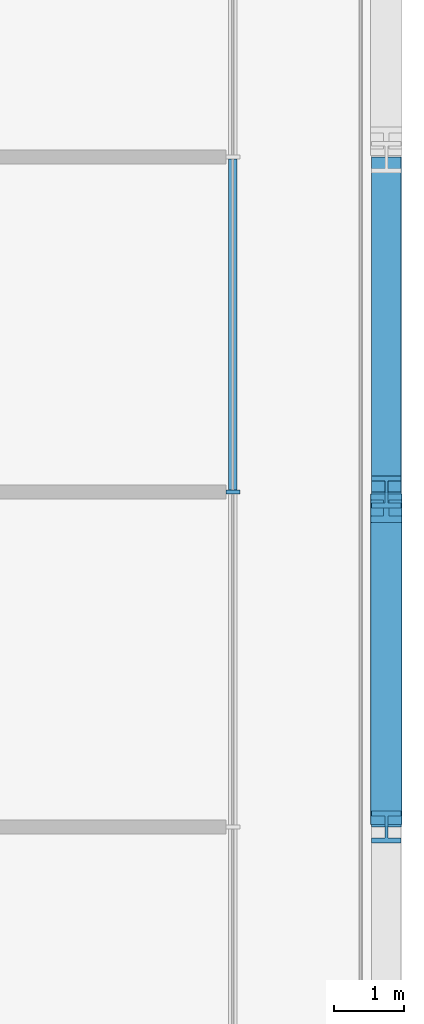
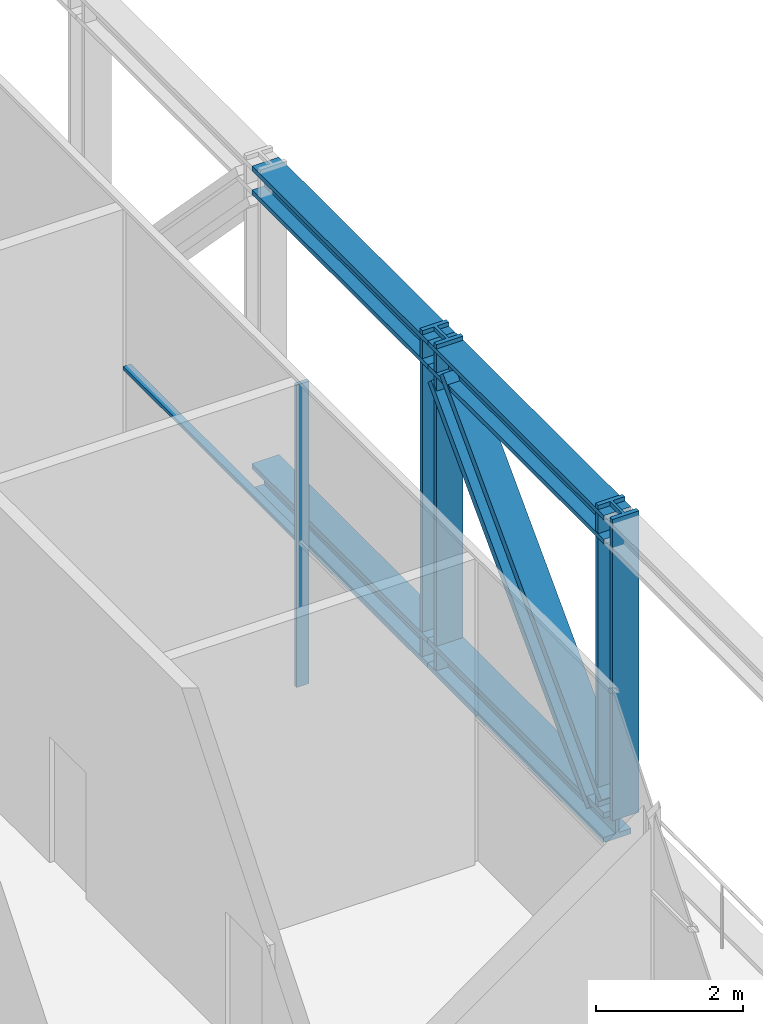
# One storey, part 8 of 27: 9 members, 1 element without a shape of its own.
"""IFC4 building model written with IfcOpenShell, lengths in metres."""

from ifc_helpers import new_model, si_unit, direction, frame, origin, origin_2d, place, context, subcontext, project, spatial, rectangle, i_section, extrude, material, layer, layer_set, material_profile, profile_set, type_object, element, aggregate, save


model = new_model("IFC4")

# Units and contexts
model_context = context("Model", 3, precision=1e-05, world=origin(), true_north=direction((0.0, 1.0)))
body_context = subcontext(model_context, "Body", "Model", "MODEL_VIEW")
ifc_project = project(units=[si_unit("LENGTHUNIT", "METRE"), si_unit("AREAUNIT", "SQUARE_METRE"), si_unit("VOLUMEUNIT", "CUBIC_METRE"), si_unit("PLANEANGLEUNIT", "RADIAN"), si_unit("MASSUNIT", "GRAM", prefix="KILO")], contexts=[model_context])

# Site, building, storey
site_placement = place(None, origin())
site = spatial("IfcSite", under=ifc_project, at=site_placement, CompositionType="ELEMENT")
building_placement = place(site_placement, origin())
building = spatial("IfcBuilding", under=site, at=building_placement, Name="Madar Terraces", CompositionType="ELEMENT")
storey_placement = place(building_placement, frame((0.0, 0.0, 143.60009765625)))
storey = spatial("IfcBuildingStorey", under=building, at=storey_placement, Name="L37", CompositionType="ELEMENT", Elevation=143.60009765625)

# Members
ifc_material_1 = material(Name="Steel ASTM A913 Grade 65", Category="steel")
ifc_material_profile_1 = material_profile(ifc_material_1, i_section(OverallWidth=0.431884765625, OverallDepth=0.497802734375, WebThickness=0.0556640625, FlangeThickness=0.0888671875, at=origin_2d()), Name="W14x500")
ifc_profile_set_1 = profile_set([ifc_material_profile_1], Name="Steel ASTM A913 Grade 65")
member_type_1 = type_object("IfcMemberType", Name="BC5 W14x500", PredefinedType="CHORD", material=ifc_profile_set_1)
for number, where, z_axis, x_axis, name in (
    (1, (57.60009765625, 24.0, -0.171142578125), (0.0, 1.0, 0.0), (-1.0, 0.0, 0.0), "Exoskeleton truss ring bottom chord BC5"),
    (2, (57.60009765625, 28.800048828125, -0.171142578125), (0.0, 1.0, 0.0), (-1.0, 0.0, 0.0), "Exoskeleton truss ring bottom chord BC5"),
):
    element("IfcMember", number, at=place(storey_placement, frame(where, z_axis=z_axis, x_axis=x_axis)), inside=storey, type_object=member_type_1, Name=name, PredefinedType="CHORD", context=body_context, shape_type="SweptSolid", body=[
        extrude(i_section(OverallWidth=0.431884765625, OverallDepth=0.497802734375, WebThickness=0.0556640625, FlangeThickness=0.0888671875, at=origin_2d()), origin(), (0.0, 0.0, 1.0), 4.800048828125),
    ])

# Curtain wall, members
ifc_material_2 = material(Name="Glass, ceramic frit dark grey, with black aluminium frame", Category="aluminium")
ifc_layer = layer(ifc_material_2, 0.199951171875)
ifc_layer_set = layer_set([ifc_layer], Name="Facade curtain wall, tall glazing")
curtain_wall_type = type_object("IfcCurtainWallType", Name="Facade curtain wall, tall glazing", PredefinedType="NOTDEFINED", material=ifc_layer_set)
curtain_wall_placement = place(storey_placement, origin())
curtain_wall = element("IfcCurtainWall", 3, at=curtain_wall_placement, inside=storey, type_object=curtain_wall_type, Name="Outer skin curtain wall east bay 1", PredefinedType="NOTDEFINED")
ifc_material_3 = material(Name="Aluminium, black anodised", Category="aluminium")
ifc_material_profile_2 = material_profile(ifc_material_3, rectangle(XDim=0.199951171875, YDim=0.06005859375, at=origin_2d()), Name="Facade mullion 60x200")
ifc_profile_set_2 = profile_set([ifc_material_profile_2], Name="Aluminium, black anodised")
member_type_2 = type_object("IfcMemberType", Name="Facade mullion 60x200", PredefinedType="MULLION", material=ifc_profile_set_2)
member_1_placement = place(storey_placement, frame((55.39990234375, 28.800048828125, 0.0), z_axis=(0.0, 0.0, 1.0), x_axis=(-1.0, 0.0, 0.0)))
member_1 = element("IfcMember", 4, at=member_1_placement, type_object=member_type_2, Name="Mullion 5", PredefinedType="MULLION", context=body_context, shape_type="SweptSolid", body=[
    extrude(rectangle(XDim=0.199951171875, YDim=0.06005859375, at=origin_2d()), origin(), (0.0, 0.0, 1.0), 5.039794921875),
])
ifc_material_4 = material(Name="Aluminium, black anodised", Category="aluminium")
ifc_material_profile_3 = material_profile(ifc_material_4, rectangle(XDim=0.1201171875, YDim=0.06005859375, at=origin_2d()), Name="Facade transom 60x120")
ifc_profile_set_3 = profile_set([ifc_material_profile_3], Name="Aluminium, black anodised")
member_type_3 = type_object("IfcMemberType", Name="Facade transom 60x120", PredefinedType="USERDEFINED", material=ifc_profile_set_3)
member_2_placement = place(storey_placement, frame((55.39990234375, 28.830078125, 2.39990234375), z_axis=(0.0, 1.0, 0.0), x_axis=(-1.0, 0.0, 0.0)))
member_2 = element("IfcMember", 5, at=member_2_placement, type_object=member_type_3, Name="Transom 7", ObjectType="TRANSOM", PredefinedType="USERDEFINED", context=body_context, shape_type="SweptSolid", body=[
    extrude(rectangle(XDim=0.1201171875, YDim=0.06005859375, at=origin_2d()), origin(), (0.0, 0.0, 1.0), 4.739990234375),
])
aggregate(curtain_wall, [member_1, member_2])

# Members
ifc_material_5 = material(Name="Steel ASTM A913 Grade 65", Category="steel")
ifc_material_profile_4 = material_profile(ifc_material_5, i_section(OverallWidth=0.424072265625, OverallDepth=0.47509765625, WebThickness=0.0478515625, FlangeThickness=0.0771484375, at=origin_2d()), Name="W14x426")
ifc_profile_set_4 = profile_set([ifc_material_profile_4], Name="Steel ASTM A913 Grade 65")
member_type_4 = type_object("IfcMemberType", Name="TC5 W14x426", PredefinedType="CHORD", material=ifc_profile_set_4)
for number, where, z_axis, x_axis, name in (
    (6, (57.60009765625, 24.0, 4.79248046875), (0.0, 1.0, 0.0), (-1.0, 0.0, 0.0), "Exoskeleton truss ring top chord TC5"),
    (7, (57.60009765625, 28.800048828125, 4.79248046875), (0.0, 1.0, 0.0), (-1.0, 0.0, 0.0), "Exoskeleton truss ring top chord TC5"),
):
    element("IfcMember", number, at=place(storey_placement, frame(where, z_axis=z_axis, x_axis=x_axis)), inside=storey, type_object=member_type_4, Name=name, PredefinedType="CHORD", context=body_context, shape_type="SweptSolid", body=[
        extrude(i_section(OverallWidth=0.424072265625, OverallDepth=0.47509765625, WebThickness=0.0478515625, FlangeThickness=0.0771484375, at=origin_2d()), origin(), (0.0, 0.0, 1.0), 4.800048828125),
    ])
ifc_material_6 = material(Name="Steel ASTM A913 Grade 65", Category="steel")
ifc_material_profile_5 = material_profile(ifc_material_6, i_section(OverallWidth=0.45458984375, OverallDepth=0.56884765625, WebThickness=0.077880859375, FlangeThickness=0.124755859375, at=origin_2d()), Name="W14x730")
ifc_profile_set_5 = profile_set([ifc_material_profile_5], Name="Steel ASTM A913 Grade 65")
member_type_5 = type_object("IfcMemberType", Name="TD5 W14x730", PredefinedType="BRACE", material=ifc_profile_set_5)
member_3_placement = place(storey_placement, frame((57.60009765625, 24.24072265625, 0.07763671875), z_axis=(0.0, 0.695149746219, 0.718864959733), x_axis=(-1.0, 0.0, 0.0)))
element("IfcMember", 8, at=member_3_placement, inside=storey, type_object=member_type_5, Name="Exoskeleton truss ring diagonal TD5", PredefinedType="BRACE", context=body_context, shape_type="SweptSolid", body=[
    extrude(i_section(OverallWidth=0.45458984375, OverallDepth=0.56884765625, WebThickness=0.077880859375, FlangeThickness=0.124755859375, at=origin_2d()), origin(), (0.0, 0.0, 1.0), 6.228271484375),
])
ifc_material_7 = material(Name="Steel ASTM A913 Grade 65", Category="steel")
ifc_material_profile_6 = material_profile(ifc_material_7, i_section(OverallWidth=0.419189453125, OverallDepth=0.45458984375, WebThickness=0.042236328125, FlangeThickness=0.067626953125, at=origin_2d()), Name="W14x370")
ifc_profile_set_6 = profile_set([ifc_material_profile_6], Name="Steel ASTM A913 Grade 65")
member_type_6 = type_object("IfcMemberType", Name="TV5 W14x370", PredefinedType="POST", material=ifc_profile_set_6)
member_4_placement = place(storey_placement, frame((57.60009765625, 24.0, 0.07763671875), z_axis=(0.0, 0.0, 1.0), x_axis=(-1.0, 0.0, 0.0)))
element("IfcMember", 9, at=member_4_placement, inside=storey, type_object=member_type_6, Name="Exoskeleton truss ring post TV5", PredefinedType="POST", context=body_context, shape_type="SweptSolid", body=[
    extrude(i_section(OverallWidth=0.419189453125, OverallDepth=0.45458984375, WebThickness=0.042236328125, FlangeThickness=0.067626953125, at=origin_2d()), origin(), (0.0, 0.0, 1.0), 5.022216796875),
])
member_5_placement = place(storey_placement, frame((57.60009765625, 28.800048828125, -0.420166015625), z_axis=(0.0, 0.0, 1.0), x_axis=(-1.0, 0.0, 0.0)))
element("IfcMember", 10, at=member_5_placement, inside=storey, type_object=member_type_6, Name="Exoskeleton truss ring post TV5", PredefinedType="POST", context=body_context, shape_type="SweptSolid", body=[
    extrude(i_section(OverallWidth=0.419189453125, OverallDepth=0.45458984375, WebThickness=0.042236328125, FlangeThickness=0.067626953125, at=origin_2d()), origin(), (0.0, 0.0, 1.0), 5.52001953125),
])

save(model, "model.ifc")
